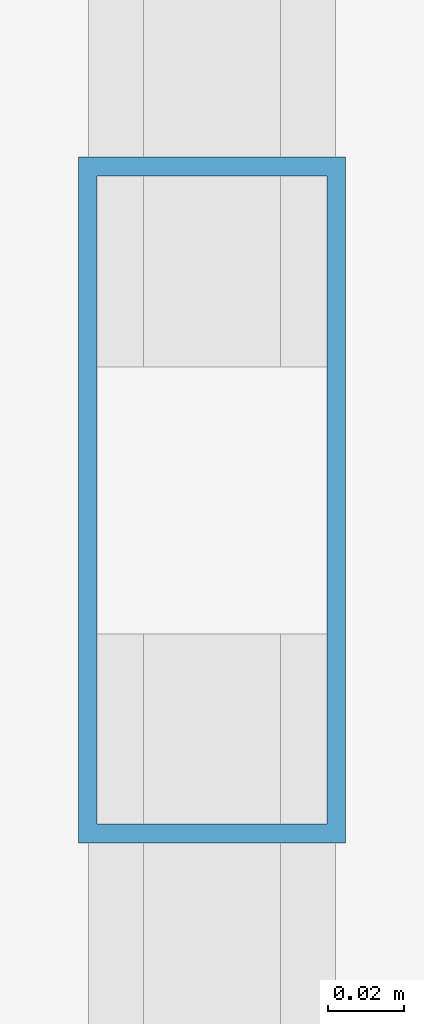
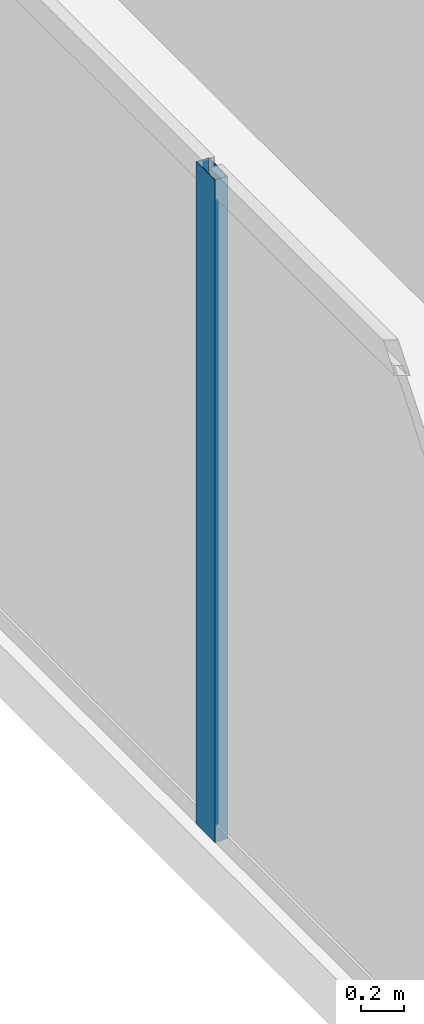
# One storey, part 8 of 34: 1 member, 1 element without a shape of its own.
"""IFC4 building model written with IfcOpenShell, lengths in metres."""

from ifc_helpers import new_model, si_unit, direction, frame, origin, origin_2d, place, context, subcontext, project, spatial, hollow_rectangle, extrude, source, transform, mapped, material, layer, layer_set, material_profile, profile_set, type_object, type_shapes, element, aggregate, save


model = new_model("IFC4")

# Units and contexts
model_context = context("Model", 3, precision=1e-05, world=origin(), true_north=direction((0.0, 1.0)))
body_context = subcontext(model_context, "Body", "Model", "MODEL_VIEW")
ifc_project = project(units=[si_unit("LENGTHUNIT", "METRE"), si_unit("AREAUNIT", "SQUARE_METRE"), si_unit("VOLUMEUNIT", "CUBIC_METRE"), si_unit("PLANEANGLEUNIT", "RADIAN"), si_unit("MASSUNIT", "GRAM", prefix="KILO")], contexts=[model_context])

# Site, building, storey
site_placement = place(None, origin())
site = spatial("IfcSite", under=ifc_project, at=site_placement, CompositionType="ELEMENT")
building_placement = place(site_placement, origin())
building = spatial("IfcBuilding", under=site, at=building_placement, Name="Haelvirn Gate Laboratories", CompositionType="ELEMENT")
storey_placement = place(building_placement, frame((0.0, 0.0, 205.5)))
storey = spatial("IfcBuildingStorey", under=building, at=storey_placement, Name="L49", CompositionType="ELEMENT", Elevation=205.5)

# Curtain wall, member
ifc_material_1 = material(Name="Anodised bronze unitised aluminium & triple low-E glass", Category="aluminium")
ifc_layer = layer(ifc_material_1, 0.176025390625, Name="CW-SYS-4")
ifc_layer_set = layer_set([ifc_layer], Name="Anodised bronze unitised aluminium & triple low-E glass")
curtain_wall_type = type_object("IfcCurtainWallType", Name="CW-SYS-4", PredefinedType="NOTDEFINED", material=ifc_layer_set)
curtain_wall_placement = place(storey_placement, origin())
curtain_wall = element("IfcCurtainWall", 1, at=curtain_wall_placement, inside=storey, type_object=curtain_wall_type, Name="L49 Unitised Curtain Wall CW-L49-P0-E17", PredefinedType="NOTDEFINED")
ifc_material_2 = material(Name="Extruded aluminium 6063-T6 (anodised bronze)", Category="aluminium")
ifc_material_profile = material_profile(ifc_material_2, hollow_rectangle(XDim=0.070068359375, YDim=0.179931640625, WallThickness=0.0048828125, at=origin_2d()), Name="CWM-180x70x5")
ifc_profile_set = profile_set([ifc_material_profile], Name="Extruded aluminium 6063-T6 (anodised bronze)")
member_type = type_object("IfcMemberType", Name="CWM-T180", PredefinedType="MULLION", material=ifc_profile_set)
shared_shape = source(origin(), body_context, "Body", "SweptSolid", [
    extrude(hollow_rectangle(XDim=0.070068359375, YDim=0.179931640625, WallThickness=0.0048828125, at=origin_2d()), origin(), (0.0, 0.0, 1.0), 3.800048828125),
])
type_shapes(member_type, [shared_shape])
member_placement = place(storey_placement, frame((4.10009765625, 24.300048828125, 0.0), z_axis=(0.0, 0.0, 1.0), x_axis=(1.0, 0.0, 0.0)))
member = element("IfcMember", 2, at=member_placement, type_object=member_type, Name="CW4 mullion 2", PredefinedType="MULLION", context=body_context, shape_type="MappedRepresentation", body=[
    mapped(shared_shape, transform((0.0, 0.0, 0.0), scale=1.0)),
])
aggregate(curtain_wall, [member])

save(model, "model.ifc")
